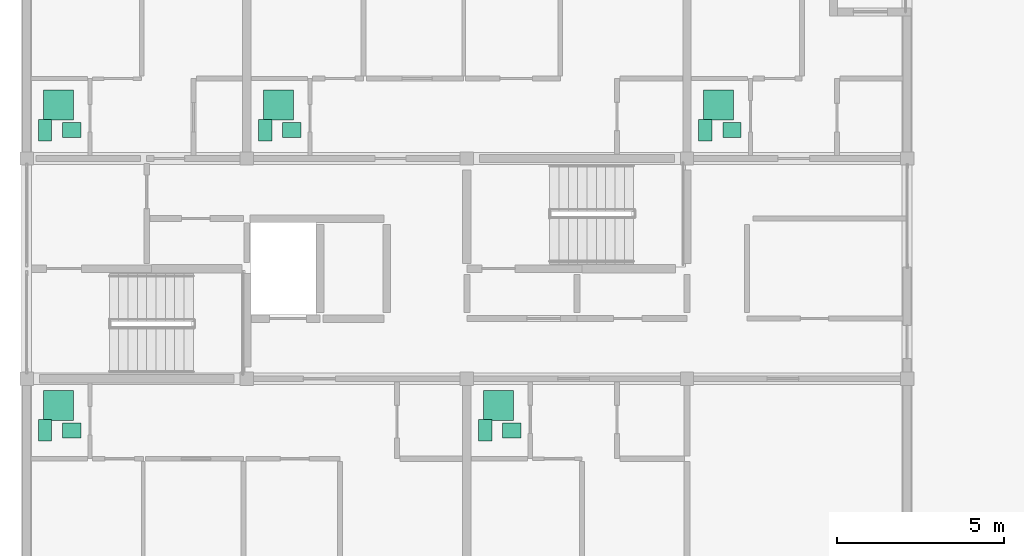
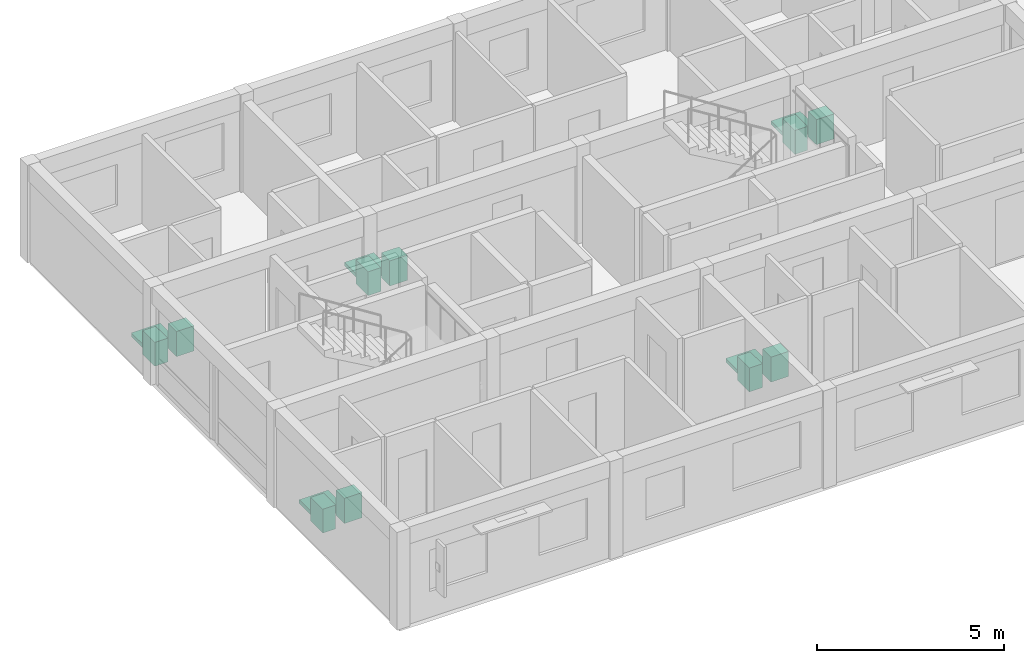
# One storey, part 12 of 12: 15 sanitary terminals.
"""IFC4 building model written with IfcOpenShell, lengths in metres."""

from ifc_helpers import new_model, si_unit, direction, frame, origin, origin_2d, place, context, subcontext, project, spatial, rectangle, extrude, material, type_object, element, save


model = new_model("IFC4")

# Units and contexts
model_context = context("Model", 3, precision=1e-05, world=origin(), true_north=direction((0.0, 1.0)))
body_context = subcontext(model_context, "Body", "Model", "MODEL_VIEW")
ifc_project = project(units=[si_unit("LENGTHUNIT", "METRE"), si_unit("AREAUNIT", "SQUARE_METRE"), si_unit("VOLUMEUNIT", "CUBIC_METRE"), si_unit("PLANEANGLEUNIT", "RADIAN"), si_unit("MASSUNIT", "GRAM", prefix="KILO")], contexts=[model_context])

# Site, building, storey
site_placement = place(None, origin())
site = spatial("IfcSite", under=ifc_project, at=site_placement, CompositionType="ELEMENT")
building_placement = place(site_placement, origin())
building = spatial("IfcBuilding", under=site, at=building_placement, Name="Kernevlak Ridge Housing Community", CompositionType="ELEMENT")
storey_placement = place(building_placement, frame((0.0, 0.0, 56.39990234375)))
storey = spatial("IfcBuildingStorey", under=building, at=storey_placement, Name="L17", CompositionType="ELEMENT", Elevation=56.39990234375)

# Sanitary terminals
ifc_material_1 = material(Name="Vitreous china ceramic")
sanitary_terminal_type_1 = type_object("IfcSanitaryTerminalType", Name="SN-BS", PredefinedType="WASHHANDBASIN", material=ifc_material_1)
for number, where, z_axis, x_axis, name in (
    (1, (16.949951171875, 81.050048828125, 0.0), (0.0, 0.0, 1.0), (1.0, 0.0, 0.0), "Washhand basin 93"),
    (2, (30.14990234375, 81.050048828125, 0.0), (0.0, 0.0, 1.0), (1.0, 0.0, 0.0), "Washhand basin 94"),
    (3, (16.949951171875, 90.050048828125, 0.0), (0.0, 0.0, 1.0), (1.0, 0.0, 0.0), "Washhand basin 95"),
    (4, (23.550048828125, 90.050048828125, 0.0), (0.0, 0.0, 1.0), (1.0, 0.0, 0.0), "Washhand basin 96"),
    (5, (36.75, 90.050048828125, 0.0), (0.0, 0.0, 1.0), (1.0, 0.0, 0.0), "Washhand basin 97"),
):
    element("IfcSanitaryTerminal", number, at=place(storey_placement, frame(where, z_axis=z_axis, x_axis=x_axis)), inside=storey, type_object=sanitary_terminal_type_1, Name=name, PredefinedType="WASHHANDBASIN", context=body_context, shape_type="SweptSolid", body=[
        extrude(rectangle(XDim=0.550048828125, YDim=0.449951171875, at=origin_2d()), origin(), (0.0, 0.0, 1.0), 0.820068359375),
    ])
ifc_material_2 = material(Name="Glazed porcelain ceramic")
sanitary_terminal_type_2 = type_object("IfcSanitaryTerminalType", Name="SN-SH", PredefinedType="SHOWER", material=ifc_material_2)
for number, where, z_axis, x_axis, name in (
    (6, (16.550048828125, 81.800048828125, 0.0), (0.0, 0.0, 1.0), (1.0, 0.0, 0.0), "Shower tray 93"),
    (7, (29.75, 81.800048828125, 0.0), (0.0, 0.0, 1.0), (1.0, 0.0, 0.0), "Shower tray 94"),
    (8, (16.550048828125, 90.800048828125, 0.0), (0.0, 0.0, 1.0), (1.0, 0.0, 0.0), "Shower tray 95"),
    (9, (23.14990234375, 90.800048828125, 0.0), (0.0, 0.0, 1.0), (1.0, 0.0, 0.0), "Shower tray 96"),
    (10, (36.35009765625, 90.800048828125, 0.0), (0.0, 0.0, 1.0), (1.0, 0.0, 0.0), "Shower tray 97"),
):
    element("IfcSanitaryTerminal", number, at=place(storey_placement, frame(where, z_axis=z_axis, x_axis=x_axis)), inside=storey, type_object=sanitary_terminal_type_2, Name=name, PredefinedType="SHOWER", context=body_context, shape_type="SweptSolid", body=[
        extrude(rectangle(XDim=0.89990234375, YDim=0.89990234375, at=origin_2d()), origin(), (0.0, 0.0, 1.0), 0.1201171875),
    ])
sanitary_terminal_type_3 = type_object("IfcSanitaryTerminalType", Name="SN-WC", PredefinedType="TOILETPAN", material=ifc_material_1)
for number, where, z_axis, x_axis, name in (
    (11, (16.14990234375, 81.050048828125, 0.0), (0.0, 0.0, 1.0), (1.0, 0.0, 0.0), "WC pan 93"),
    (12, (29.35009765625, 81.050048828125, 0.0), (0.0, 0.0, 1.0), (1.0, 0.0, 0.0), "WC pan 94"),
    (13, (16.14990234375, 90.050048828125, 0.0), (0.0, 0.0, 1.0), (1.0, 0.0, 0.0), "WC pan 95"),
    (14, (22.75, 90.050048828125, 0.0), (0.0, 0.0, 1.0), (1.0, 0.0, 0.0), "WC pan 96"),
    (15, (35.949951171875, 90.050048828125, 0.0), (0.0, 0.0, 1.0), (1.0, 0.0, 0.0), "WC pan 97"),
):
    element("IfcSanitaryTerminal", number, at=place(storey_placement, frame(where, z_axis=z_axis, x_axis=x_axis)), inside=storey, type_object=sanitary_terminal_type_3, Name=name, PredefinedType="TOILETPAN", context=body_context, shape_type="SweptSolid", body=[
        extrude(rectangle(XDim=0.39990234375, YDim=0.64990234375, at=origin_2d()), origin(), (0.0, 0.0, 1.0), 0.780029296875),
    ])

save(model, "model.ifc")
